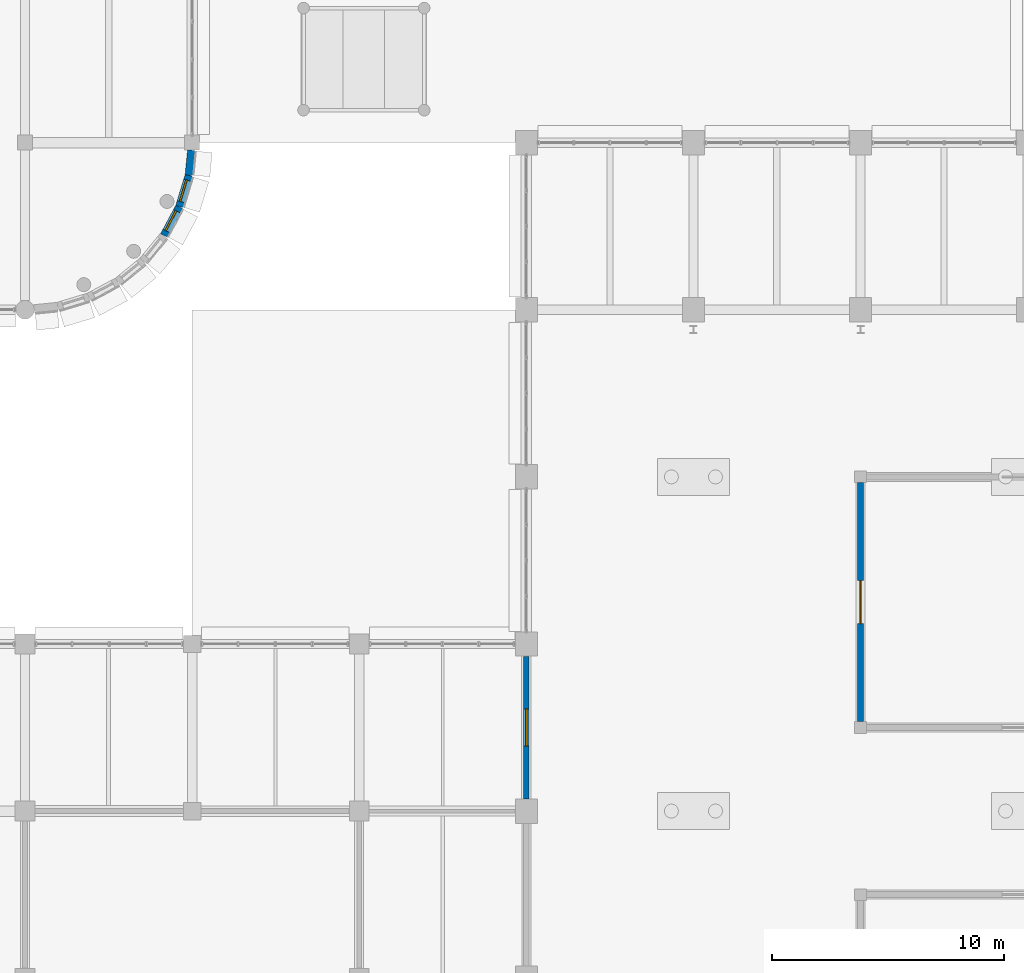
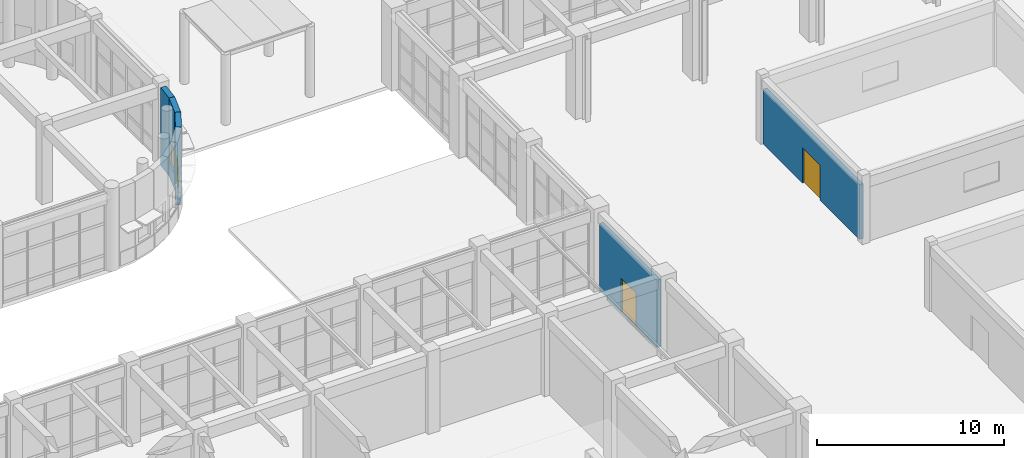
# One storey, part 139 of 160: 5 walls, 2 doors, 2 windows, 4 openings.
"""IFC4 building model written with IfcOpenShell, lengths in metres."""

from ifc_helpers import new_model, si_unit, direction, frame, frame_2d, origin, place, context, subcontext, project, spatial, rectangle, extrude, material, layer, layer_set, type_object, element, fill, save


model = new_model("IFC4")

# Units and contexts
model_context = context("Model", 3, precision=1e-05, world=origin(), true_north=direction((0.0, 1.0)))
body_context = subcontext(model_context, "Body", "Model", "MODEL_VIEW")
ifc_project = project(units=[si_unit("LENGTHUNIT", "METRE"), si_unit("AREAUNIT", "SQUARE_METRE"), si_unit("VOLUMEUNIT", "CUBIC_METRE"), si_unit("PLANEANGLEUNIT", "RADIAN"), si_unit("MASSUNIT", "GRAM", prefix="KILO")], contexts=[model_context])

# Site, building, storey
site_placement = place(None, origin())
site = spatial("IfcSite", under=ifc_project, at=site_placement, CompositionType="ELEMENT")
building_placement = place(site_placement, origin())
building = spatial("IfcBuilding", under=site, at=building_placement, Name="Thalmaran Polytechnic", CompositionType="ELEMENT")
storey_placement = place(building_placement, origin())
storey = spatial("IfcBuildingStorey", under=building, at=storey_placement, Name="L00", CompositionType="ELEMENT", Elevation=0.0)

# Wall
ifc_material_1 = material(Name="Precast concrete C40/50", Category="concrete")
ifc_layer_1 = layer(ifc_material_1, 0.330078125, Name="Precast concrete C40/50")
ifc_layer_set_1 = layer_set([ifc_layer_1], Name="Precast concrete C40/50")
wall_type_1 = type_object("IfcWallType", Name="WL-EW02", PredefinedType="STANDARD", material=ifc_layer_set_1)
wall_1_placement = place(storey_placement, frame((93.568115234375, 57.276611328125, 0.0), z_axis=(0.0, 0.0, 1.0), x_axis=(-0.097968531872, -0.995189512989, 0.0)))
element("IfcWall", 1, at=wall_1_placement, inside=storey, type_object=wall_type_1, Name="Exterior Precast Facade Wall L00-129", PredefinedType="STANDARD", context=body_context, shape_type="SweptSolid", body=[
    extrude(rectangle(XDim=1.08642578125, YDim=0.330078125, at=frame_2d((0.543212890625, 0.0))), origin(), (0.0, 0.0, 1.0), 5.090087890625),
])

# Wall, opening, window
wall_2_placement = place(storey_placement, frame((93.461669921875, 56.1953125, 0.0), z_axis=(0.0, 0.0, 1.0), x_axis=(-0.290266641956, -0.956945806495, 0.0)))
wall_2 = element("IfcWall", 2, at=wall_2_placement, inside=storey, type_object=wall_type_1, Name="Exterior Precast Facade Wall L00-130", PredefinedType="STANDARD", context=body_context, shape_type="SweptSolid", body=[
    extrude(rectangle(XDim=1.411376953125, YDim=0.330078125, at=frame_2d((0.70556640625, 0.0))), origin(), (0.0, 0.0, 1.0), 5.090087890625),
])
opening_1_placement = place(wall_2_placement, frame((0.2255859375, 0.0, 1.0)))
opening_1 = element("IfcOpeningElement", 3, at=opening_1_placement, cuts=wall_2, Name="Opening CR01", PredefinedType="OPENING", context=body_context, shape_type="SweptSolid", body=[
    extrude(rectangle(XDim=0.9599609375, YDim=1.39990234375, at=frame_2d((0.47998046875, 0.699951171875))), frame((0.0, 0.175048828125, 0.0), z_axis=(0.0, -1.0, 0.0), x_axis=(1.0, 0.0, 0.0)), (0.0, 0.0, 1.0), 0.35009765625),
])
ifc_material_2 = material(Name="Thermally broken aluminium and double low-E glass", Category="aluminium")
window_type = type_object("IfcWindowType", Name="WN-CR01", PartitioningType="SINGLE_PANEL", PredefinedType="WINDOW", material=ifc_material_2)
window_1_placement = place(opening_1_placement, origin())
window_1 = element("IfcWindow", 4, at=window_1_placement, inside=storey, type_object=window_type, Name="Curved Prow Ribbon Window W-0072", OverallHeight=1.39990234375, OverallWidth=0.9599609375, PartitioningType="SINGLE_PANEL", PredefinedType="WINDOW", context=body_context, shape_type="SweptSolid", body=[
    extrude(rectangle(XDim=0.9599609375, YDim=1.39990234375, at=frame_2d((0.47998046875, 0.699951171875))), frame((0.0, -0.010009765625, 0.0), z_axis=(0.0, -1.0, 0.0), x_axis=(1.0, 0.0, 0.0)), (0.0, 0.0, 1.0), 0.06005859375),
])
fill(opening_1, window_1)

wall_3_placement = place(storey_placement, frame((93.052001953125, 54.8447265625, 0.0), z_axis=(0.0, 0.0, 1.0), x_axis=(-0.471467723713, -0.881883317393, 0.0)))
wall_3 = element("IfcWall", 5, at=wall_3_placement, inside=storey, type_object=wall_type_1, Name="Exterior Precast Facade Wall L00-131", PredefinedType="STANDARD", context=body_context, shape_type="SweptSolid", body=[
    extrude(rectangle(XDim=1.41162109375, YDim=0.330078125, at=frame_2d((0.705810546875, 0.0))), origin(), (0.0, 0.0, 1.0), 5.090087890625),
])
opening_2_placement = place(wall_3_placement, frame((0.2255859375, 0.0, 1.0)))
opening_2 = element("IfcOpeningElement", 6, at=opening_2_placement, cuts=wall_3, Name="Opening CR01", PredefinedType="OPENING", context=body_context, shape_type="SweptSolid", body=[
    extrude(rectangle(XDim=0.9599609375, YDim=1.39990234375, at=frame_2d((0.47998046875, 0.699951171875))), frame((0.0, 0.175048828125, 0.0), z_axis=(0.0, -1.0, 0.0), x_axis=(1.0, 0.0, 0.0)), (0.0, 0.0, 1.0), 0.35009765625),
])
window_2_placement = place(opening_2_placement, origin())
window_2 = element("IfcWindow", 7, at=window_2_placement, inside=storey, type_object=window_type, Name="Curved Prow Ribbon Window W-0073", OverallHeight=1.39990234375, OverallWidth=0.9599609375, PartitioningType="SINGLE_PANEL", PredefinedType="WINDOW", context=body_context, shape_type="SweptSolid", body=[
    extrude(rectangle(XDim=0.9599609375, YDim=1.39990234375, at=frame_2d((0.47998046875, 0.699951171875))), frame((0.0, -0.010009765625, 0.0), z_axis=(0.0, -1.0, 0.0), x_axis=(1.0, 0.0, 0.0)), (0.0, 0.0, 1.0), 0.06005859375),
])
fill(opening_2, window_2)

# Wall, opening, door
ifc_material_3 = material(Name="Autoclaved aerated masonry", Category="masonry")
ifc_layer_2 = layer(ifc_material_3, 0.25, Name="Autoclaved aerated masonry")
ifc_layer_set_2 = layer_set([ifc_layer_2], Name="Autoclaved aerated masonry")
wall_type_2 = type_object("IfcWallType", Name="WL-IW01", PredefinedType="PARTITIONING", material=ifc_layer_set_2)
wall_4_placement = place(storey_placement, frame((122.39990234375, 42.949951171875, 0.0), z_axis=(0.0, 0.0, 1.0), x_axis=(0.0, -1.0, 0.0)))
wall_4 = element("IfcWall", 8, at=wall_4_placement, inside=storey, type_object=wall_type_2, Name="POD3 Acoustic Enclosure Wall L00-W", PredefinedType="PARTITIONING", context=body_context, shape_type="SweptSolid", body=[
    extrude(rectangle(XDim=10.300048828125, YDim=0.25, at=frame_2d((5.14990234375, 0.0))), origin(), (0.0, 0.0, 1.0), 3.570068359375),
])
opening_3_placement = place(wall_4_placement, frame((4.22509765625, 0.0, 0.0)))
opening_3 = element("IfcOpeningElement", 9, at=opening_3_placement, cuts=wall_4, Name="Opening PD-POD3-L00", PredefinedType="OPENING", context=body_context, shape_type="SweptSolid", body=[
    extrude(rectangle(XDim=1.85009765625, YDim=2.300048828125, at=frame_2d((0.925048828125, 1.14990234375))), frame((0.0, 0.135009765625, 0.0), z_axis=(0.0, -1.0, 0.0), x_axis=(1.0, 0.0, 0.0)), (0.0, 0.0, 1.0), 0.27001953125),
])
ifc_material_4 = material(Name="Acoustic hardwood and vision glass", Category="wood")
door_type_1 = type_object("IfcDoorType", Name="DR-ID01", OperationType="NOTDEFINED", PredefinedType="DOOR", material=ifc_material_4)
door_1_placement = place(opening_3_placement, frame((1.85009765625, 0.0, 0.0), z_axis=(0.0, 0.0, 1.0), x_axis=(-1.0, 0.0, 0.0)))
door_1 = element("IfcDoor", 10, at=door_1_placement, inside=storey, type_object=door_type_1, Name="Composites Testing Laboratory Entrance Door", OperationType="DOUBLE_DOOR_SINGLE_SWING", OverallHeight=2.300048828125, OverallWidth=1.85009765625, PredefinedType="DOOR", context=body_context, shape_type="SweptSolid", body=[
    extrude(rectangle(XDim=1.85009765625, YDim=2.300048828125, at=frame_2d((0.925048828125, 1.14990234375))), frame((0.0, 0.02490234375, 0.0), z_axis=(0.0, -1.0, 0.0), x_axis=(1.0, 0.0, 0.0)), (0.0, 0.0, 1.0), 0.050048828125),
])
fill(opening_3, door_1)

ifc_layer_3 = layer(ifc_material_3, 0.22998046875, Name="Autoclaved aerated masonry")
ifc_layer_set_3 = layer_set([ifc_layer_3], Name="Autoclaved aerated masonry")
wall_type_3 = type_object("IfcWallType", Name="WL-IW02", PredefinedType="PARTITIONING", material=ifc_layer_set_3)
wall_5_placement = place(storey_placement, frame((108.0, 29.330078125, 0.0), z_axis=(0.0, 0.0, 1.0), x_axis=(0.0, 1.0, 0.0)))
wall_5 = element("IfcWall", 11, at=wall_5_placement, inside=storey, type_object=wall_type_3, Name="Interior Partition IW02 L00-115", PredefinedType="PARTITIONING", context=body_context, shape_type="SweptSolid", body=[
    extrude(rectangle(XDim=6.139892578125, YDim=0.22998046875, at=frame_2d((3.06982421875, 0.0))), origin(), (0.0, 0.0, 1.0), 4.39501953125),
])
opening_4_placement = place(wall_5_placement, frame((2.27001953125, 0.0, 0.0)))
opening_4 = element("IfcOpeningElement", 12, at=opening_4_placement, cuts=wall_5, Name="Opening ID-L00-W115", PredefinedType="OPENING", context=body_context, shape_type="SweptSolid", body=[
    extrude(rectangle(XDim=1.60009765625, YDim=2.199951171875, at=frame_2d((0.800048828125, 1.10009765625))), frame((0.0, 0.125, 0.0), z_axis=(0.0, -1.0, 0.0), x_axis=(1.0, 0.0, 0.0)), (0.0, 0.0, 1.0), 0.25),
])
ifc_material_5 = material(Name="Powder-coated fire-rated steel", Category="steel")
door_type_2 = type_object("IfcDoorType", Name="DR-FD05", OperationType="NOTDEFINED", PredefinedType="DOOR", material=ifc_material_5)
door_2_placement = place(opening_4_placement, origin())
door_2 = element("IfcDoor", 13, at=door_2_placement, inside=storey, type_object=door_type_2, Name="Workshop Hall Fire Door L00-115", OperationType="DOUBLE_DOOR_SINGLE_SWING", OverallHeight=2.199951171875, OverallWidth=1.60009765625, PredefinedType="DOOR", context=body_context, shape_type="SweptSolid", body=[
    extrude(rectangle(XDim=1.60009765625, YDim=2.199951171875, at=frame_2d((0.800048828125, 1.10009765625))), frame((0.0, 0.02490234375, 0.0), z_axis=(0.0, -1.0, 0.0), x_axis=(1.0, 0.0, 0.0)), (0.0, 0.0, 1.0), 0.050048828125),
])
fill(opening_4, door_2)

save(model, "model.ifc")
